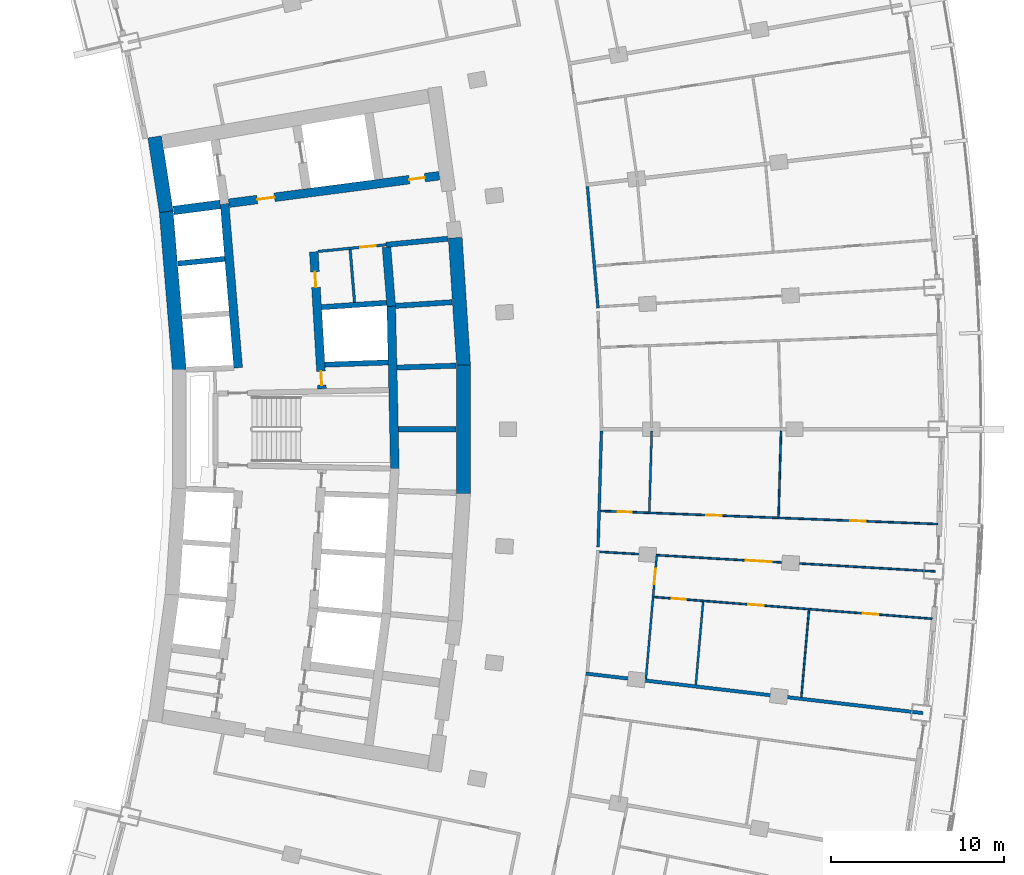
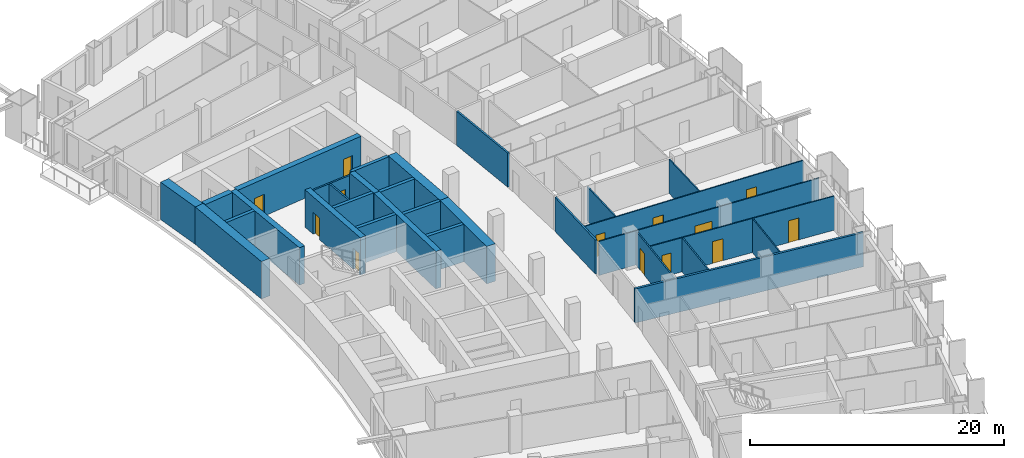
# One storey, part 17 of 25: 30 walls, 13 doors, 13 openings.
"""IFC4 building model written with IfcOpenShell, lengths in metres."""

from ifc_helpers import new_model, si_unit, direction, frame, frame_2d, origin, place, context, subcontext, project, spatial, rectangle, extrude, material, layer, layer_set, type_object, element, fill, save


model = new_model("IFC4")

# Units and contexts
model_context = context("Model", 3, precision=1e-05, world=origin(), true_north=direction((0.0, 1.0)))
body_context = subcontext(model_context, "Body", "Model", "MODEL_VIEW")
ifc_project = project(units=[si_unit("LENGTHUNIT", "METRE"), si_unit("AREAUNIT", "SQUARE_METRE"), si_unit("VOLUMEUNIT", "CUBIC_METRE"), si_unit("PLANEANGLEUNIT", "RADIAN"), si_unit("MASSUNIT", "GRAM", prefix="KILO")], contexts=[model_context])

# Site, building, storey
site_placement = place(None, origin())
site = spatial("IfcSite", under=ifc_project, at=site_placement, CompositionType="ELEMENT")
building_placement = place(site_placement, origin())
building = spatial("IfcBuilding", under=site, at=building_placement, Name="Alderwake Tower", CompositionType="ELEMENT")
storey_placement = place(building_placement, frame((0.0, 0.0, 122.0)))
storey = spatial("IfcBuildingStorey", under=building, at=storey_placement, Name="L30", CompositionType="ELEMENT", Elevation=122.0)

# Wall
ifc_material_1 = material(Name="Gypsum shaft wall system, rated")
ifc_layer_1 = layer(ifc_material_1, 0.14990234375)
ifc_layer_set_1 = layer_set([ifc_layer_1], Name="Core room partition 150")
wall_type_1 = type_object("IfcWallType", Name="Core room partition 150", PredefinedType="PARTITIONING", material=ifc_layer_set_1)
wall_1_placement = place(storey_placement, frame((26.94970703125, 68.3203125, 0.0), z_axis=(0.0, 0.0, 1.0), x_axis=(-0.082463525817, 0.996594083321, 0.0)))
element("IfcWall", 1, at=wall_1_placement, inside=storey, type_object=wall_type_1, Name="CW/L30/PA+107_+70", PredefinedType="PARTITIONING", context=body_context, shape_type="SweptSolid", body=[
    extrude(rectangle(XDim=3.055419921875, YDim=0.14990234375, at=frame_2d((1.52783203125, 0.0))), origin(), (0.0, 0.0, 1.0), 3.280029296875),
])

# Wall, opening, door
wall_2_placement = place(storey_placement, frame((28.780517578125, 71.644287109375, 0.0), z_axis=(0.0, 0.0, 1.0), x_axis=(-0.995250272402, -0.097349346605, 0.0)))
wall_2 = element("IfcWall", 2, at=wall_2_placement, inside=storey, type_object=wall_type_1, Name="CW/L30/PR+102_+86", PredefinedType="PARTITIONING", context=body_context, shape_type="SweptSolid", body=[
    extrude(rectangle(XDim=3.949951171875, YDim=0.14990234375, at=frame_2d((1.97509765625, 0.0))), origin(), (0.0, 0.0, 1.0), 3.280029296875),
])
opening_1_placement = place(wall_2_placement, frame((0.60009765625, 0.0, 0.0)))
opening_1 = element("IfcOpeningElement", 3, at=opening_1_placement, cuts=wall_2, Name="Opening C022", PredefinedType="OPENING", context=body_context, shape_type="SweptSolid", body=[
    extrude(rectangle(XDim=0.89990234375, YDim=2.10009765625, at=frame_2d((0.449951171875, 1.050048828125))), frame((0.0, 0.0849609375, 0.0), z_axis=(0.0, -1.0, 0.0), x_axis=(1.0, 0.0, 0.0)), (0.0, 0.0, 1.0), 0.169921875),
])
ifc_material_2 = material(Name="Painted steel leaf", Category="steel")
door_type_1 = type_object("IfcDoorType", Name="Core room door 900", OperationType="SINGLE_SWING_LEFT", PredefinedType="DOOR", material=ifc_material_2)
door_1_placement = place(opening_1_placement, origin())
door_1 = element("IfcDoor", 4, at=door_1_placement, inside=storey, type_object=door_type_1, Name="Room door", OperationType="SINGLE_SWING_RIGHT", OverallHeight=2.10009765625, OverallWidth=0.89990234375, PredefinedType="DOOR", context=body_context, shape_type="SweptSolid", body=[
    extrude(rectangle(XDim=0.89990234375, YDim=2.10009765625, at=frame_2d((0.449951171875, 1.050048828125))), frame((0.0, 0.02490234375, 0.0), z_axis=(0.0, -1.0, 0.0), x_axis=(1.0, 0.0, 0.0)), (0.0, 0.0, 1.0), 0.050048828125),
])
fill(opening_1, door_1)

# Walls
ifc_material_3 = material(Name="Concrete C70/85", Category="concrete")
ifc_layer_2 = layer(ifc_material_3, 0.800048828125)
ifc_layer_set_2 = layer_set([ifc_layer_2], Name="Core wall outer 800 C70-85")
wall_type_2 = type_object("IfcWallType", Name="Core wall outer 800 C70-85", PredefinedType="SHEAR", material=ifc_layer_set_2)
wall_3_placement = place(storey_placement, frame((16.8408203125, 64.410888671875, 0.0), z_axis=(0.0, 0.0, 1.0), x_axis=(-0.082619502339, 0.996581164699, 0.0)))
element("IfcWall", 5, at=wall_3_placement, inside=storey, type_object=wall_type_2, Name="Core wall CW.040", PredefinedType="SHEAR", context=body_context, shape_type="SweptSolid", body=[
    extrude(rectangle(XDim=9.201904296875, YDim=0.800048828125, at=frame_2d((4.60107421875, 0.0))), origin(), (0.0, 0.0, 1.0), 3.60009765625),
])
wall_4_placement = place(storey_placement, frame((16.083984375, 73.552490234375, 0.0), z_axis=(0.0, 0.0, 1.0), x_axis=(-0.151981606421, 0.988383322052, 0.0)))
element("IfcWall", 6, at=wall_4_placement, inside=storey, type_object=wall_type_2, Name="Core wall CW.039", PredefinedType="SHEAR", context=body_context, shape_type="SweptSolid", body=[
    extrude(rectangle(XDim=4.369384765625, YDim=0.800048828125, at=frame_2d((2.1845703125, 0.0))), origin(), (0.0, 0.0, 1.0), 3.60009765625),
])
wall_5_placement = place(storey_placement, frame((33.239990234375, 57.30322265625, 0.0), z_axis=(0.0, 0.0, 1.0), x_axis=(0.0, 1.0, 0.0)))
element("IfcWall", 7, at=wall_5_placement, inside=storey, type_object=wall_type_2, Name="Core wall CW.013", PredefinedType="SHEAR", context=body_context, shape_type="SweptSolid", body=[
    extrude(rectangle(XDim=7.3935546875, YDim=0.800048828125, at=frame_2d((3.69677734375, 0.0))), origin(), (0.0, 0.0, 1.0), 3.60009765625),
])
wall_6_placement = place(storey_placement, frame((33.240966796875, 64.669677734375, 0.0), z_axis=(0.0, 0.0, 1.0), x_axis=(-0.064976219143, 0.997886812693, 0.0)))
element("IfcWall", 8, at=wall_6_placement, inside=storey, type_object=wall_type_2, Name="Core wall CW.010", PredefinedType="SHEAR", context=body_context, shape_type="SweptSolid", body=[
    extrude(rectangle(XDim=7.39453125, YDim=0.800048828125, at=frame_2d((3.697265625, 0.0))), origin(), (0.0, 0.0, 1.0), 3.60009765625),
])
ifc_material_4 = material(Name="Concrete C70/85", Category="concrete")
ifc_layer_3 = layer(ifc_material_4, 0.300048828125)
ifc_layer_set_3 = layer_set([ifc_layer_3], Name="Core wall shaft 300 C70-85")
wall_type_3 = type_object("IfcWallType", Name="Core wall shaft 300 C70-85", PredefinedType="SHEAR", material=ifc_layer_set_3)
wall_7_placement = place(storey_placement, frame((29.47607421875, 61.0, 0.0), z_axis=(0.0, 0.0, 1.0), x_axis=(1.0, 0.0, 0.0)))
element("IfcWall", 9, at=wall_7_placement, inside=storey, type_object=wall_type_3, Name="Core wall CW.048", PredefinedType="SHEAR", context=body_context, shape_type="SweptSolid", body=[
    extrude(rectangle(XDim=3.333984375, YDim=0.300048828125, at=frame_2d((1.6669921875, 0.0))), origin(), (0.0, 0.0, 1.0), 3.60009765625),
])
wall_8_placement = place(storey_placement, frame((29.3974609375, 64.55810546875, 0.0), z_axis=(0.0, 0.0, 1.0), x_axis=(0.999470631901, 0.032533920269, 0.0)))
element("IfcWall", 10, at=wall_8_placement, inside=storey, type_object=wall_type_3, Name="Core wall CW.058", PredefinedType="SHEAR", context=body_context, shape_type="SweptSolid", body=[
    extrude(rectangle(XDim=3.414306640625, YDim=0.300048828125, at=frame_2d((1.70703125, 0.0))), origin(), (0.0, 0.0, 1.0), 3.60009765625),
])
wall_9_placement = place(storey_placement, frame((25.2412109375, 64.725341796875, 0.0), z_axis=(0.0, 0.0, 1.0), x_axis=(0.999374468163, 0.035364846723, 0.0)))
element("IfcWall", 11, at=wall_9_placement, inside=storey, type_object=wall_type_3, Name="Core wall CW.060", PredefinedType="SHEAR", context=body_context, shape_type="SweptSolid", body=[
    extrude(rectangle(XDim=3.65185546875, YDim=0.300048828125, at=frame_2d((1.825927734375, 0.0))), origin(), (0.0, 0.0, 1.0), 3.60009765625),
])
wall_10_placement = place(storey_placement, frame((29.318603515625, 68.11865234375, 0.0), z_axis=(0.0, 0.0, 1.0), x_axis=(0.997885072108, 0.065002945035, 0.0)))
element("IfcWall", 12, at=wall_10_placement, inside=storey, type_object=wall_type_3, Name="Core wall CW.061", PredefinedType="SHEAR", context=body_context, shape_type="SweptSolid", body=[
    extrude(rectangle(XDim=3.260009765625, YDim=0.300048828125, at=frame_2d((1.6298828125, 0.0))), origin(), (0.0, 0.0, 1.0), 3.60009765625),
])
wall_11_placement = place(storey_placement, frame((25.042236328125, 68.0419921875, 0.0), z_axis=(0.0, 0.0, 1.0), x_axis=(0.997758710096, 0.066914545707, 0.0)))
element("IfcWall", 13, at=wall_11_placement, inside=storey, type_object=wall_type_3, Name="Core wall CW.063", PredefinedType="SHEAR", context=body_context, shape_type="SweptSolid", body=[
    extrude(rectangle(XDim=3.76904296875, YDim=0.300048828125, at=frame_2d((1.884521484375, 0.0))), origin(), (0.0, 0.0, 1.0), 3.60009765625),
])
wall_12_placement = place(storey_placement, frame((28.780517578125, 71.644287109375, 0.0), z_axis=(0.0, 0.0, 1.0), x_axis=(0.995246218868, 0.097390778977, 0.0)))
element("IfcWall", 14, at=wall_12_placement, inside=storey, type_object=wall_type_3, Name="Core wall CW.049", PredefinedType="SHEAR", context=body_context, shape_type="SweptSolid", body=[
    extrude(rectangle(XDim=3.56982421875, YDim=0.300048828125, at=frame_2d((1.784912109375, 0.0))), origin(), (0.0, 0.0, 1.0), 3.60009765625),
])
wall_13_placement = place(storey_placement, frame((16.76220703125, 70.561767578125, 0.0), z_axis=(0.0, 0.0, 1.0), x_axis=(0.995154832978, 0.098320183083, 0.0)))
element("IfcWall", 15, at=wall_13_placement, inside=storey, type_object=wall_type_3, Name="Core wall CW.050", PredefinedType="SHEAR", context=body_context, shape_type="SweptSolid", body=[
    extrude(rectangle(XDim=2.716552734375, YDim=0.300048828125, at=frame_2d((1.3583984375, 0.0))), origin(), (0.0, 0.0, 1.0), 3.60009765625),
])
ifc_material_5 = material(Name="Concrete C70/85", Category="concrete")
ifc_layer_4 = layer(ifc_material_5, 0.5)
ifc_layer_set_4 = layer_set([ifc_layer_4], Name="Core wall spine 500 C70-85")
wall_type_4 = type_object("IfcWallType", Name="Core wall spine 500 C70-85", PredefinedType="SHEAR", material=ifc_layer_set_4)
wall_14_placement = place(storey_placement, frame((20.2373046875, 64.548095703125, 0.0), z_axis=(0.0, 0.0, 1.0), x_axis=(-0.082641410547, 0.996579348202, 0.0)))
element("IfcWall", 16, at=wall_14_placement, inside=storey, type_object=wall_type_4, Name="Core wall CW.031", PredefinedType="SHEAR", context=body_context, shape_type="SweptSolid", body=[
    extrude(rectangle(XDim=9.500732421875, YDim=0.5, at=frame_2d((4.75048828125, 0.0))), origin(), (0.0, 0.0, 1.0), 3.60009765625),
])

# Wall, openings, doors
wall_15_placement = place(storey_placement, frame((25.073974609375, 63.335693359375, 0.0), z_axis=(0.0, 0.0, 1.0), x_axis=(-0.059848641072, 0.998207463487, 0.0)))
wall_15 = element("IfcWall", 17, at=wall_15_placement, inside=storey, type_object=wall_type_4, Name="Core wall CW.045", PredefinedType="SHEAR", context=body_context, shape_type="SweptSolid", body=[
    extrude(rectangle(XDim=7.913818359375, YDim=0.5, at=frame_2d((3.95703125, 0.0))), origin(), (0.0, 0.0, 1.0), 3.60009765625),
])
opening_2_placement = place(wall_15_placement, frame((0.216064453125, 0.0, 0.0)))
opening_2 = element("IfcOpeningElement", 18, at=opening_2_placement, cuts=wall_15, Name="Opening C005", PredefinedType="OPENING", context=body_context, shape_type="SweptSolid", body=[
    extrude(rectangle(XDim=0.800048828125, YDim=2.0, at=frame_2d((0.39990234375, 1.0))), frame((0.0, 0.260009765625, 0.0), z_axis=(0.0, -1.0, 0.0), x_axis=(1.0, 0.0, 0.0)), (0.0, 0.0, 1.0), 0.52001953125),
])
opening_3_placement = place(wall_15_placement, frame((5.856201171875, 0.0, 0.0)))
opening_3 = element("IfcOpeningElement", 19, at=opening_3_placement, cuts=wall_15, Name="Opening C024", PredefinedType="OPENING", context=body_context, shape_type="SweptSolid", body=[
    extrude(rectangle(XDim=0.89990234375, YDim=2.10009765625, at=frame_2d((0.449951171875, 1.050048828125))), frame((0.0, 0.260009765625, 0.0), z_axis=(0.0, -1.0, 0.0), x_axis=(1.0, 0.0, 0.0)), (0.0, 0.0, 1.0), 0.52001953125),
])
door_2_placement = place(opening_3_placement, origin())
door_2 = element("IfcDoor", 20, at=door_2_placement, inside=storey, type_object=door_type_1, Name="Room door", OperationType="SINGLE_SWING_LEFT", OverallHeight=2.10009765625, OverallWidth=0.89990234375, PredefinedType="DOOR", context=body_context, shape_type="SweptSolid", body=[
    extrude(rectangle(XDim=0.89990234375, YDim=2.10009765625, at=frame_2d((0.449951171875, 1.050048828125))), frame((0.0, 0.02490234375, 0.0), z_axis=(0.0, -1.0, 0.0), x_axis=(1.0, 0.0, 0.0)), (0.0, 0.0, 1.0), 0.050048828125),
])
fill(opening_3, door_2)
ifc_material_6 = material(Name="Painted steel leaf, rated", Category="steel")
door_type_2 = type_object("IfcDoorType", Name="Riser access door 800", OperationType="SINGLE_SWING_LEFT", PredefinedType="DOOR", material=ifc_material_6)
door_3_placement = place(opening_2_placement, origin())
door_3 = element("IfcDoor", 21, at=door_3_placement, inside=storey, type_object=door_type_2, Name="Riser access door", OperationType="SINGLE_SWING_LEFT", OverallHeight=2.0, OverallWidth=0.800048828125, PredefinedType="DOOR", context=body_context, shape_type="SweptSolid", body=[
    extrude(rectangle(XDim=0.800048828125, YDim=2.0, at=frame_2d((0.39990234375, 1.0))), frame((0.0, 0.02490234375, 0.0), z_axis=(0.0, -1.0, 0.0), x_axis=(1.0, 0.0, 0.0)), (0.0, 0.0, 1.0), 0.050048828125),
])
fill(opening_2, door_3)

# Walls
wall_16_placement = place(storey_placement, frame((29.276611328125, 58.71630859375, 0.0), z_axis=(0.0, 0.0, 1.0), x_axis=(-0.022111127054, 0.999755519145, 0.0)))
element("IfcWall", 22, at=wall_16_placement, inside=storey, type_object=wall_type_4, Name="Core wall CW.007", PredefinedType="SHEAR", context=body_context, shape_type="SweptSolid", body=[
    extrude(rectangle(XDim=9.396240234375, YDim=0.5, at=frame_2d((4.6982421875, 0.0))), origin(), (0.0, 0.0, 1.0), 3.60009765625),
])
wall_17_placement = place(storey_placement, frame((29.069580078125, 68.0947265625, 0.0), z_axis=(0.0, 0.0, 1.0), x_axis=(-0.080510338556, 0.9967537737, 0.0)))
element("IfcWall", 23, at=wall_17_placement, inside=storey, type_object=wall_type_4, Name="Core wall CW.003", PredefinedType="SHEAR", context=body_context, shape_type="SweptSolid", body=[
    extrude(rectangle(XDim=3.411376953125, YDim=0.5, at=frame_2d((1.70556640625, 0.0))), origin(), (0.0, 0.0, 1.0), 3.60009765625),
])
wall_18_placement = place(storey_placement, frame((16.508544921875, 73.62255859375, 0.0), z_axis=(0.0, 0.0, 1.0), x_axis=(0.991548766325, 0.129734513522, 0.0)))
element("IfcWall", 24, at=wall_18_placement, inside=storey, type_object=wall_type_4, Name="Core wall CW.051", PredefinedType="SHEAR", context=body_context, shape_type="SweptSolid", body=[
    extrude(rectangle(XDim=2.71923828125, YDim=0.5, at=frame_2d((1.359619140625, 0.0))), origin(), (0.0, 0.0, 1.0), 3.60009765625),
])

# Wall, openings, doors
wall_19_placement = place(storey_placement, frame((31.834716796875, 75.627197265625, 0.0), z_axis=(0.0, 0.0, 1.0), x_axis=(-0.991555516999, -0.129682908318, 0.0)))
wall_19 = element("IfcWall", 25, at=wall_19_placement, inside=storey, type_object=wall_type_4, Name="Core wall CW.052", PredefinedType="SHEAR", context=body_context, shape_type="SweptSolid", body=[
    extrude(rectangle(XDim=12.23681640625, YDim=0.5, at=frame_2d((6.118408203125, 0.0))), origin(), (0.0, 0.0, 1.0), 3.60009765625),
])
opening_4_placement = place(wall_19_placement, frame((9.587158203125, 0.0, 0.0)))
opening_4 = element("IfcOpeningElement", 26, at=opening_4_placement, cuts=wall_19, Name="Opening C002", PredefinedType="OPENING", context=body_context, shape_type="SweptSolid", body=[
    extrude(rectangle(XDim=1.0, YDim=2.10009765625, at=frame_2d((0.5, 1.050048828125))), frame((0.0, 0.260009765625, 0.0), z_axis=(0.0, -1.0, 0.0), x_axis=(1.0, 0.0, 0.0)), (0.0, 0.0, 1.0), 0.52001953125),
])
opening_5_placement = place(wall_19_placement, frame((0.837158203125, 0.0, 0.0)))
opening_5 = element("IfcOpeningElement", 27, at=opening_5_placement, cuts=wall_19, Name="Opening C020", PredefinedType="OPENING", context=body_context, shape_type="SweptSolid", body=[
    extrude(rectangle(XDim=0.89990234375, YDim=2.10009765625, at=frame_2d((0.449951171875, 1.050048828125))), frame((0.0, 0.260009765625, 0.0), z_axis=(0.0, -1.0, 0.0), x_axis=(1.0, 0.0, 0.0)), (0.0, 0.0, 1.0), 0.52001953125),
])
door_4_placement = place(opening_5_placement, origin())
door_4 = element("IfcDoor", 28, at=door_4_placement, inside=storey, type_object=door_type_1, Name="Room door", OperationType="SINGLE_SWING_LEFT", OverallHeight=2.10009765625, OverallWidth=0.89990234375, PredefinedType="DOOR", context=body_context, shape_type="SweptSolid", body=[
    extrude(rectangle(XDim=0.89990234375, YDim=2.10009765625, at=frame_2d((0.449951171875, 1.050048828125))), frame((0.0, 0.02490234375, 0.0), z_axis=(0.0, -1.0, 0.0), x_axis=(1.0, 0.0, 0.0)), (0.0, 0.0, 1.0), 0.050048828125),
])
fill(opening_5, door_4)
ifc_material_7 = material(Name="Steel-framed fire door leaf", Category="steel")
door_type_3 = type_object("IfcDoorType", Name="Firefighting lobby door 1000 fire-rated", OperationType="SINGLE_SWING_LEFT", PredefinedType="DOOR", material=ifc_material_7)
door_5_placement = place(opening_4_placement, origin())
door_5 = element("IfcDoor", 29, at=door_5_placement, inside=storey, type_object=door_type_3, Name="Firefighting lobby door", OperationType="SINGLE_SWING_RIGHT", OverallHeight=2.10009765625, OverallWidth=1.0, PredefinedType="DOOR", context=body_context, shape_type="SweptSolid", body=[
    extrude(rectangle(XDim=1.0, YDim=2.10009765625, at=frame_2d((0.5, 1.050048828125))), frame((0.0, 0.02490234375, 0.0), z_axis=(0.0, -1.0, 0.0), x_axis=(1.0, 0.0, 0.0)), (0.0, 0.0, 1.0), 0.050048828125),
])
fill(opening_4, door_5)

# Walls
ifc_material_8 = material(Name="Gypsum board on metal studs, rated")
ifc_layer_5 = layer(ifc_material_8, 0.159912109375)
ifc_layer_set_5 = layer_set([ifc_layer_5], Name="Corridor wall 160")
wall_type_5 = type_object("IfcWallType", Name="Corridor wall 160", PredefinedType="PARTITIONING", material=ifc_layer_set_5)
wall_20_placement = place(storey_placement, frame((41.002685546875, 54.20068359375, 0.0), z_axis=(0.0, 0.0, 1.0), x_axis=(0.028855161601, 0.999583603131, 0.0)))
element("IfcWall", 30, at=wall_20_placement, inside=storey, type_object=wall_type_5, Name="WL/L30/W39", PredefinedType="PARTITIONING", context=body_context, shape_type="SweptSolid", body=[
    extrude(rectangle(XDim=6.700927734375, YDim=0.159912109375, at=frame_2d((3.3505859375, 0.0))), origin(), (0.0, 0.0, 1.0), 3.280029296875),
])
wall_21_placement = place(storey_placement, frame((41.001953125, 67.9873046875, 0.0), z_axis=(0.0, 0.0, 1.0), x_axis=(-0.087430787456, 0.996170596537, 0.0)))
element("IfcWall", 31, at=wall_21_placement, inside=storey, type_object=wall_type_5, Name="WL/L30/W40", PredefinedType="PARTITIONING", context=body_context, shape_type="SweptSolid", body=[
    extrude(rectangle(XDim=7.048095703125, YDim=0.159912109375, at=frame_2d((3.52392578125, 0.0))), origin(), (0.0, 0.0, 1.0), 3.280029296875),
])
ifc_material_9 = material(Name="Dense block masonry wall", Category="masonry")
ifc_layer_6 = layer(ifc_material_9, 0.199951171875)
ifc_layer_set_6 = layer_set([ifc_layer_6], Name="Party wall 200")
wall_type_6 = type_object("IfcWallType", Name="Party wall 200", PredefinedType="SOLIDWALL", material=ifc_layer_set_6)
wall_22_placement = place(storey_placement, frame((59.7451171875, 44.6220703125, 0.0), z_axis=(0.0, 0.0, 1.0), x_axis=(-0.993195977177, 0.116454930851, 0.0)))
element("IfcWall", 32, at=wall_22_placement, inside=storey, type_object=wall_type_6, Name="WL/L30/W11", PredefinedType="SOLIDWALL", context=body_context, shape_type="SweptSolid", body=[
    extrude(rectangle(XDim=19.580810546875, YDim=0.199951171875, at=frame_2d((9.79052734375, 0.0))), origin(), (0.0, 0.0, 1.0), 3.280029296875),
])

# Wall, opening, door
ifc_material_10 = material(Name="Gypsum board on metal studs")
ifc_layer_7 = layer(ifc_material_10, 0.10009765625)
ifc_layer_set_7 = layer_set([ifc_layer_7], Name="Unit partition 100")
wall_type_7 = type_object("IfcWallType", Name="Unit partition 100", PredefinedType="PARTITIONING", material=ifc_layer_set_7)
wall_23_placement = place(storey_placement, frame((41.074951171875, 53.92919921875, 0.0), z_axis=(0.0, 0.0, 1.0), x_axis=(0.998299424898, -0.058294581637, 0.0)))
wall_23 = element("IfcWall", 33, at=wall_23_placement, inside=storey, type_object=wall_type_7, Name="WL/L30/W71", PredefinedType="PARTITIONING", context=body_context, shape_type="SweptSolid", body=[
    extrude(rectangle(XDim=19.419921875, YDim=0.10009765625, at=frame_2d((9.7099609375, 0.0))), origin(), (0.0, 0.0, 1.0), 3.280029296875),
])
opening_6_placement = place(wall_23_placement, frame((8.464599609375, 0.0, 0.0)))
opening_6 = element("IfcOpeningElement", 34, at=opening_6_placement, cuts=wall_23, Name="Opening R08-U07.9", PredefinedType="OPENING", context=body_context, shape_type="SweptSolid", body=[
    extrude(rectangle(XDim=1.5, YDim=2.10009765625, at=frame_2d((0.75, 1.050048828125))), frame((0.0, 0.06005859375, 0.0), z_axis=(0.0, -1.0, 0.0), x_axis=(1.0, 0.0, 0.0)), (0.0, 0.0, 1.0), 0.1201171875),
])
ifc_material_11 = material(Name="Painted timber leaves", Category="wood")
door_type_4 = type_object("IfcDoorType", Name="Double leaf door 1500", OperationType="DOUBLE_DOOR_SINGLE_SWING", PredefinedType="DOOR", material=ifc_material_11)
door_6_placement = place(opening_6_placement, origin())
door_6 = element("IfcDoor", 35, at=door_6_placement, inside=storey, type_object=door_type_4, Name="DR/L30/U07.9", OperationType="DOUBLE_DOOR_SINGLE_SWING", OverallHeight=2.10009765625, OverallWidth=1.5, PredefinedType="DOOR", context=body_context, shape_type="SweptSolid", body=[
    extrude(rectangle(XDim=1.5, YDim=2.10009765625, at=frame_2d((0.75, 1.050048828125))), frame((0.0, 0.02490234375, 0.0), z_axis=(0.0, -1.0, 0.0), x_axis=(1.0, 0.0, 0.0)), (0.0, 0.0, 1.0), 0.050048828125),
])
fill(opening_6, door_6)

# Wall, openings, doors
wall_24_placement = place(storey_placement, frame((41.143798828125, 56.285888671875, 0.0), z_axis=(0.0, 0.0, 1.0), x_axis=(0.999245527857, -0.038837804487, 0.0)))
wall_24 = element("IfcWall", 36, at=wall_24_placement, inside=storey, type_object=wall_type_7, Name="WL/L30/W72", PredefinedType="PARTITIONING", context=body_context, shape_type="SweptSolid", body=[
    extrude(rectangle(XDim=19.4619140625, YDim=0.10009765625, at=frame_2d((9.73095703125, 0.0))), origin(), (0.0, 0.0, 1.0), 3.280029296875),
])
opening_7_placement = place(wall_24_placement, frame((6.096923828125, 0.0, 0.0)))
opening_7 = element("IfcOpeningElement", 37, at=opening_7_placement, cuts=wall_24, Name="Opening R08-U07.6", PredefinedType="OPENING", context=body_context, shape_type="SweptSolid", body=[
    extrude(rectangle(XDim=0.89990234375, YDim=2.10009765625, at=frame_2d((0.449951171875, 1.050048828125))), frame((0.0, 0.06005859375, 0.0), z_axis=(0.0, -1.0, 0.0), x_axis=(1.0, 0.0, 0.0)), (0.0, 0.0, 1.0), 0.1201171875),
])
opening_8_placement = place(wall_24_placement, frame((1.0087890625, 0.0, 0.0)))
opening_8 = element("IfcOpeningElement", 38, at=opening_8_placement, cuts=wall_24, Name="Opening R08-U07.7", PredefinedType="OPENING", context=body_context, shape_type="SweptSolid", body=[
    extrude(rectangle(XDim=0.800048828125, YDim=2.10009765625, at=frame_2d((0.39990234375, 1.050048828125))), frame((0.0, 0.06005859375, 0.0), z_axis=(0.0, -1.0, 0.0), x_axis=(1.0, 0.0, 0.0)), (0.0, 0.0, 1.0), 0.1201171875),
])
opening_9_placement = place(wall_24_placement, frame((14.418701171875, 0.0, 0.0)))
opening_9 = element("IfcOpeningElement", 39, at=opening_9_placement, cuts=wall_24, Name="Opening R08-U07.8", PredefinedType="OPENING", context=body_context, shape_type="SweptSolid", body=[
    extrude(rectangle(XDim=0.89990234375, YDim=2.10009765625, at=frame_2d((0.449951171875, 1.050048828125))), frame((0.0, 0.06005859375, 0.0), z_axis=(0.0, -1.0, 0.0), x_axis=(1.0, 0.0, 0.0)), (0.0, 0.0, 1.0), 0.1201171875),
])
ifc_material_12 = material(Name="Painted timber leaf", Category="wood")
door_type_5 = type_object("IfcDoorType", Name="Bathroom door 800", OperationType="SINGLE_SWING_LEFT", PredefinedType="DOOR", material=ifc_material_12)
door_7_placement = place(opening_8_placement, origin())
door_7 = element("IfcDoor", 40, at=door_7_placement, inside=storey, type_object=door_type_5, Name="DR/L30/U07.7", OperationType="SINGLE_SWING_LEFT", OverallHeight=2.10009765625, OverallWidth=0.800048828125, PredefinedType="DOOR", context=body_context, shape_type="SweptSolid", body=[
    extrude(rectangle(XDim=0.800048828125, YDim=2.10009765625, at=frame_2d((0.39990234375, 1.050048828125))), frame((0.0, 0.02490234375, 0.0), z_axis=(0.0, -1.0, 0.0), x_axis=(1.0, 0.0, 0.0)), (0.0, 0.0, 1.0), 0.050048828125),
])
fill(opening_8, door_7)
ifc_material_13 = material(Name="Painted timber leaf", Category="wood")
door_type_6 = type_object("IfcDoorType", Name="Room door 900", OperationType="SINGLE_SWING_LEFT", PredefinedType="DOOR", material=ifc_material_13)
door_8_placement = place(opening_7_placement, origin())
door_8 = element("IfcDoor", 41, at=door_8_placement, inside=storey, type_object=door_type_6, Name="DR/L30/U07.6", OperationType="SINGLE_SWING_LEFT", OverallHeight=2.10009765625, OverallWidth=0.89990234375, PredefinedType="DOOR", context=body_context, shape_type="SweptSolid", body=[
    extrude(rectangle(XDim=0.89990234375, YDim=2.10009765625, at=frame_2d((0.449951171875, 1.050048828125))), frame((0.0, 0.02490234375, 0.0), z_axis=(0.0, -1.0, 0.0), x_axis=(1.0, 0.0, 0.0)), (0.0, 0.0, 1.0), 0.050048828125),
])
fill(opening_7, door_8)
door_9_placement = place(opening_9_placement, origin())
door_9 = element("IfcDoor", 42, at=door_9_placement, inside=storey, type_object=door_type_6, Name="DR/L30/U07.8", OperationType="SINGLE_SWING_LEFT", OverallHeight=2.10009765625, OverallWidth=0.89990234375, PredefinedType="DOOR", context=body_context, shape_type="SweptSolid", body=[
    extrude(rectangle(XDim=0.89990234375, YDim=2.10009765625, at=frame_2d((0.449951171875, 1.050048828125))), frame((0.0, 0.02490234375, 0.0), z_axis=(0.0, -1.0, 0.0), x_axis=(1.0, 0.0, 0.0)), (0.0, 0.0, 1.0), 0.050048828125),
])
fill(opening_9, door_9)

wall_25_placement = place(storey_placement, frame((60.27001953125, 50.06689453125, 0.0), z_axis=(0.0, 0.0, 1.0), x_axis=(-0.996963614513, 0.077868808503, 0.0)))
wall_25 = element("IfcWall", 43, at=wall_25_placement, inside=storey, type_object=wall_type_7, Name="WL/L30/W75", PredefinedType="PARTITIONING", context=body_context, shape_type="SweptSolid", body=[
    extrude(rectangle(XDim=16.083984375, YDim=0.10009765625, at=frame_2d((8.0419921875, 0.0))), origin(), (0.0, 0.0, 1.0), 3.280029296875),
])
opening_10_placement = place(wall_25_placement, frame((9.7294921875, 0.0, 0.0)))
opening_10 = element("IfcOpeningElement", 44, at=opening_10_placement, cuts=wall_25, Name="Opening R08-U07.1", PredefinedType="OPENING", context=body_context, shape_type="SweptSolid", body=[
    extrude(rectangle(XDim=0.89990234375, YDim=2.10009765625, at=frame_2d((0.449951171875, 1.050048828125))), frame((0.0, 0.06005859375, 0.0), z_axis=(0.0, -1.0, 0.0), x_axis=(1.0, 0.0, 0.0)), (0.0, 0.0, 1.0), 0.1201171875),
])
opening_11_placement = place(wall_25_placement, frame((14.263916015625, 0.0, 0.0)))
opening_11 = element("IfcOpeningElement", 45, at=opening_11_placement, cuts=wall_25, Name="Opening R08-U07.4", PredefinedType="OPENING", context=body_context, shape_type="SweptSolid", body=[
    extrude(rectangle(XDim=0.800048828125, YDim=2.10009765625, at=frame_2d((0.39990234375, 1.050048828125))), frame((0.0, 0.06005859375, 0.0), z_axis=(0.0, -1.0, 0.0), x_axis=(1.0, 0.0, 0.0)), (0.0, 0.0, 1.0), 0.1201171875),
])
opening_12_placement = place(wall_25_placement, frame((3.107666015625, 0.0, 0.0)))
opening_12 = element("IfcOpeningElement", 46, at=opening_12_placement, cuts=wall_25, Name="Opening R08-U07.5", PredefinedType="OPENING", context=body_context, shape_type="SweptSolid", body=[
    extrude(rectangle(XDim=0.89990234375, YDim=2.10009765625, at=frame_2d((0.449951171875, 1.050048828125))), frame((0.0, 0.06005859375, 0.0), z_axis=(0.0, -1.0, 0.0), x_axis=(1.0, 0.0, 0.0)), (0.0, 0.0, 1.0), 0.1201171875),
])
door_10_placement = place(opening_11_placement, origin())
door_10 = element("IfcDoor", 47, at=door_10_placement, inside=storey, type_object=door_type_5, Name="DR/L30/U07.4", OperationType="SINGLE_SWING_LEFT", OverallHeight=2.10009765625, OverallWidth=0.800048828125, PredefinedType="DOOR", context=body_context, shape_type="SweptSolid", body=[
    extrude(rectangle(XDim=0.800048828125, YDim=2.10009765625, at=frame_2d((0.39990234375, 1.050048828125))), frame((0.0, 0.02490234375, 0.0), z_axis=(0.0, -1.0, 0.0), x_axis=(1.0, 0.0, 0.0)), (0.0, 0.0, 1.0), 0.050048828125),
])
fill(opening_11, door_10)
door_11_placement = place(opening_10_placement, origin())
door_11 = element("IfcDoor", 48, at=door_11_placement, inside=storey, type_object=door_type_6, Name="DR/L30/U07.1", OperationType="SINGLE_SWING_LEFT", OverallHeight=2.10009765625, OverallWidth=0.89990234375, PredefinedType="DOOR", context=body_context, shape_type="SweptSolid", body=[
    extrude(rectangle(XDim=0.89990234375, YDim=2.10009765625, at=frame_2d((0.449951171875, 1.050048828125))), frame((0.0, 0.02490234375, 0.0), z_axis=(0.0, -1.0, 0.0), x_axis=(1.0, 0.0, 0.0)), (0.0, 0.0, 1.0), 0.050048828125),
])
fill(opening_10, door_11)
door_12_placement = place(opening_12_placement, origin())
door_12 = element("IfcDoor", 49, at=door_12_placement, inside=storey, type_object=door_type_6, Name="DR/L30/U07.5", OperationType="SINGLE_SWING_LEFT", OverallHeight=2.10009765625, OverallWidth=0.89990234375, PredefinedType="DOOR", context=body_context, shape_type="SweptSolid", body=[
    extrude(rectangle(XDim=0.89990234375, YDim=2.10009765625, at=frame_2d((0.449951171875, 1.050048828125))), frame((0.0, 0.02490234375, 0.0), z_axis=(0.0, -1.0, 0.0), x_axis=(1.0, 0.0, 0.0)), (0.0, 0.0, 1.0), 0.050048828125),
])
fill(opening_12, door_12)

# Walls
wall_26_placement = place(storey_placement, frame((51.415283203125, 55.93701171875, 0.0), z_axis=(0.0, 0.0, 1.0), x_axis=(0.028771787727, 0.99958600642, 0.0)))
element("IfcWall", 50, at=wall_26_placement, inside=storey, type_object=wall_type_7, Name="WL/L30/W84", PredefinedType="PARTITIONING", context=body_context, shape_type="SweptSolid", body=[
    extrude(rectangle(XDim=4.9638671875, YDim=0.10009765625, at=frame_2d((2.48193359375, 0.0))), origin(), (0.0, 0.0, 1.0), 3.280029296875),
])
wall_27_placement = place(storey_placement, frame((52.730712890625, 45.543701171875, 0.0), z_axis=(0.0, 0.0, 1.0), x_axis=(0.087155550626, 0.9961947149, 0.0)))
element("IfcWall", 51, at=wall_27_placement, inside=storey, type_object=wall_type_7, Name="WL/L30/W87", PredefinedType="PARTITIONING", context=body_context, shape_type="SweptSolid", body=[
    extrude(rectangle(XDim=5.0478515625, YDim=0.10009765625, at=frame_2d((2.52392578125, 0.0))), origin(), (0.0, 0.0, 1.0), 3.280029296875),
])

# Wall, opening, door
ifc_material_14 = material(Name="Moisture resistant gypsum board on metal studs")
ifc_layer_8 = layer(ifc_material_14, 0.1201171875)
ifc_layer_set_8 = layer_set([ifc_layer_8], Name="Wet room partition 120")
wall_type_8 = type_object("IfcWallType", Name="Wet room partition 120", PredefinedType="PARTITIONING", material=ifc_layer_set_8)
wall_28_placement = place(storey_placement, frame((44.383544921875, 53.686279296875, 0.0), z_axis=(0.0, 0.0, 1.0), x_axis=(-0.087510360813, -0.996163609429, 0.0)))
wall_28 = element("IfcWall", 52, at=wall_28_placement, inside=storey, type_object=wall_type_8, Name="WL/L30/W59", PredefinedType="PARTITIONING", context=body_context, shape_type="SweptSolid", body=[
    extrude(rectangle(XDim=7.116943359375, YDim=0.1201171875, at=frame_2d((3.55859375, 0.0))), origin(), (0.0, 0.0, 1.0), 3.280029296875),
])
opening_13_placement = place(wall_28_placement, frame((0.736328125, 0.0, 0.0)))
opening_13 = element("IfcOpeningElement", 53, at=opening_13_placement, cuts=wall_28, Name="Opening R08-U07.3", PredefinedType="OPENING", context=body_context, shape_type="SweptSolid", body=[
    extrude(rectangle(XDim=0.89990234375, YDim=2.10009765625, at=frame_2d((0.449951171875, 1.050048828125))), frame((0.0, 0.070068359375, 0.0), z_axis=(0.0, -1.0, 0.0), x_axis=(1.0, 0.0, 0.0)), (0.0, 0.0, 1.0), 0.14013671875),
])
door_13_placement = place(opening_13_placement, origin())
door_13 = element("IfcDoor", 54, at=door_13_placement, inside=storey, type_object=door_type_6, Name="DR/L30/U07.3", OperationType="SINGLE_SWING_LEFT", OverallHeight=2.10009765625, OverallWidth=0.89990234375, PredefinedType="DOOR", context=body_context, shape_type="SweptSolid", body=[
    extrude(rectangle(XDim=0.89990234375, YDim=2.10009765625, at=frame_2d((0.449951171875, 1.050048828125))), frame((0.0, 0.02490234375, 0.0), z_axis=(0.0, -1.0, 0.0), x_axis=(1.0, 0.0, 0.0)), (0.0, 0.0, 1.0), 0.050048828125),
])
fill(opening_13, door_13)

# Walls
wall_29_placement = place(storey_placement, frame((43.96044921875, 56.22802734375, 0.0), z_axis=(0.0, 0.0, 1.0), x_axis=(0.029257801765, 0.999571898883, 0.0)))
element("IfcWall", 55, at=wall_29_placement, inside=storey, type_object=wall_type_8, Name="WL/L30/W60", PredefinedType="PARTITIONING", context=body_context, shape_type="SweptSolid", body=[
    extrude(rectangle(XDim=4.6728515625, YDim=0.1201171875, at=frame_2d((2.33642578125, 0.0))), origin(), (0.0, 0.0, 1.0), 3.280029296875),
])
wall_30_placement = place(storey_placement, frame((46.640869140625, 46.2578125, 0.0), z_axis=(0.0, 0.0, 1.0), x_axis=(0.087714452347, 0.996145659454, 0.0)))
element("IfcWall", 56, at=wall_30_placement, inside=storey, type_object=wall_type_8, Name="WL/L30/W65", PredefinedType="PARTITIONING", context=body_context, shape_type="SweptSolid", body=[
    extrude(rectangle(XDim=4.806884765625, YDim=0.1201171875, at=frame_2d((2.4033203125, 0.0))), origin(), (0.0, 0.0, 1.0), 3.280029296875),
])

save(model, "model.ifc")
